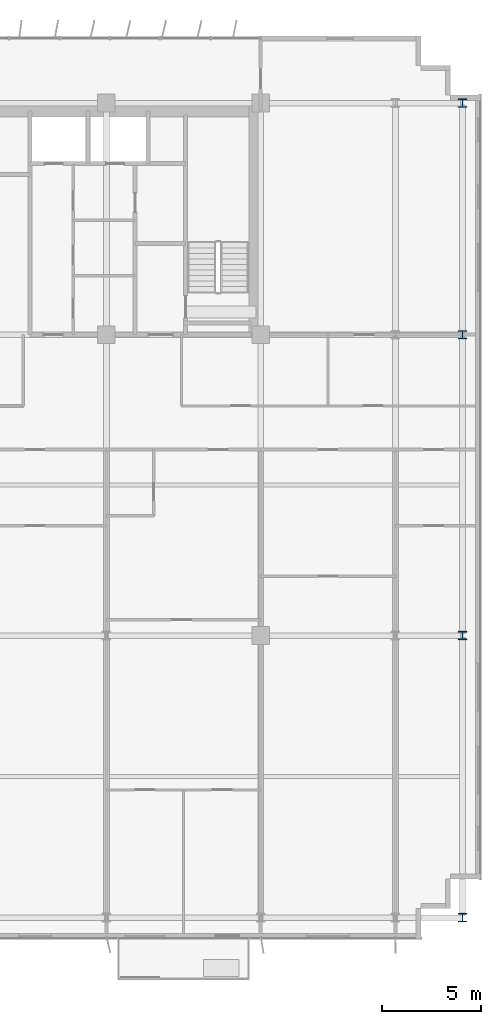
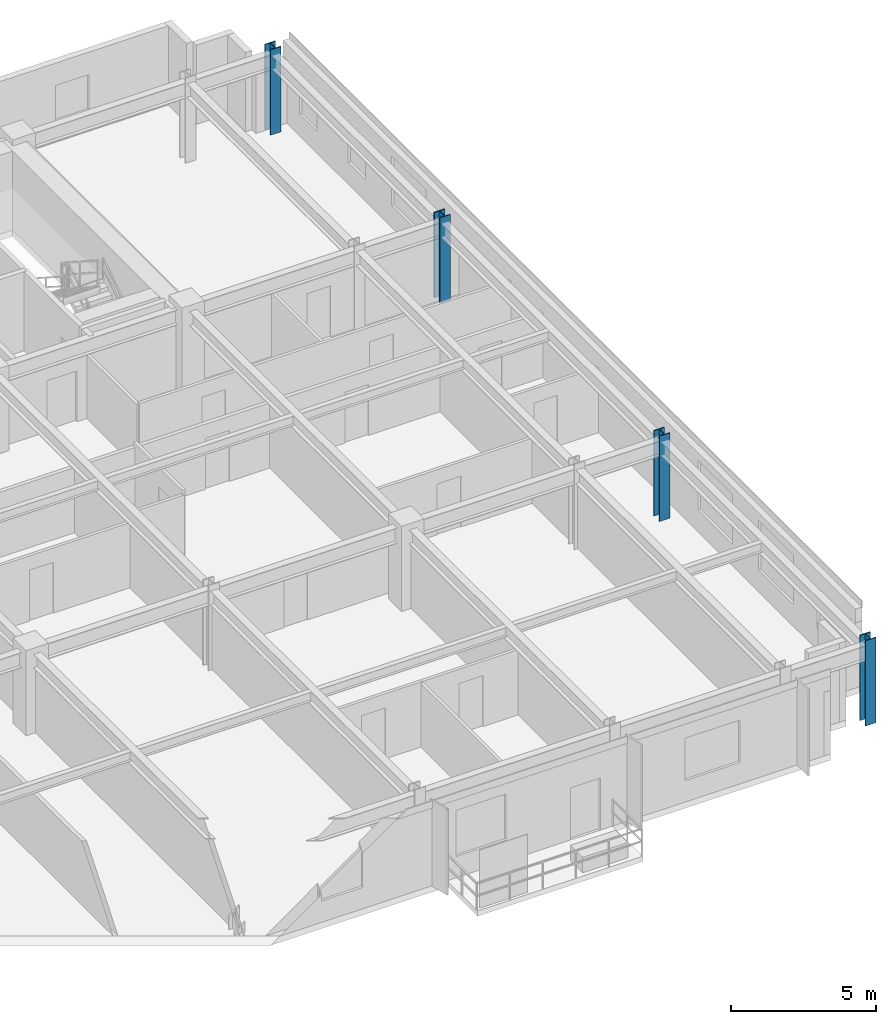
# One storey, part 3 of 22: 4 columns.
"""IFC4 building model written with IfcOpenShell, lengths in metres."""

from ifc_helpers import new_model, si_unit, direction, frame, origin, origin_2d, place, context, subcontext, project, spatial, i_section, extrude, source, transform, mapped, material, material_profile, profile_set, type_object, element, save


model = new_model("IFC4")

# Units and contexts
model_context = context("Model", 3, precision=1e-05, world=origin(), true_north=direction((0.0, 1.0)))
body_context = subcontext(model_context, "Body", "Model", "MODEL_VIEW")
ifc_project = project(units=[si_unit("LENGTHUNIT", "METRE"), si_unit("AREAUNIT", "SQUARE_METRE"), si_unit("VOLUMEUNIT", "CUBIC_METRE"), si_unit("PLANEANGLEUNIT", "RADIAN"), si_unit("MASSUNIT", "GRAM", prefix="KILO")], contexts=[model_context])

# Site, building, storey
site_placement = place(None, origin())
site = spatial("IfcSite", under=ifc_project, at=site_placement, CompositionType="ELEMENT")
building_placement = place(site_placement, origin())
building = spatial("IfcBuilding", under=site, at=building_placement, Name="Trelvane Seafront Commons", CompositionType="ELEMENT")
storey_placement = place(building_placement, frame((0.0, 0.0, 59.5)))
storey = spatial("IfcBuildingStorey", under=building, at=storey_placement, Name="L15", CompositionType="ELEMENT", Elevation=59.5)

# Columns
ifc_material = material(Name="Steel SM355 (S355)", Category="steel")
ifc_material_profile = material_profile(ifc_material, i_section(OverallWidth=0.419921875, OverallDepth=0.419921875, WebThickness=0.02587890625, FlangeThickness=0.0400390625, at=origin_2d()), Name="HD-420x420x26x40")
ifc_profile_set = profile_set([ifc_material_profile], Name="Steel SM355 (S355)")
column_type = type_object("IfcColumnType", Name="STR-COL-HD420", PredefinedType="COLUMN", material=ifc_profile_set)
shared_shape = source(origin(), body_context, "Body", "SweptSolid", [
    extrude(i_section(OverallWidth=0.419921875, OverallDepth=0.419921875, WebThickness=0.02587890625, FlangeThickness=0.0400390625, at=origin_2d()), origin(), (0.0, 0.0, 1.0), 3.60009765625),
])
for number, where, z_axis, x_axis, name in (
    (1, (69.0, 3.949951171875, 0.0), (0.0, 0.0, 1.0), (1.0, 0.0, 0.0), "L15 Column TC-S69.0"),
    (2, (69.0, 18.199951171875, 0.0), (0.0, 0.0, 1.0), (1.0, 0.0, 0.0), "L15 Column TC-M69.0"),
    (3, (69.0, 33.39990234375, 0.0), (0.0, 0.0, 1.0), (1.0, 0.0, 0.0), "L15 Column TC-CS69.0"),
    (4, (69.0, 45.10009765625, 0.0), (0.0, 0.0, 1.0), (1.0, 0.0, 0.0), "L15 Column TC-CN69.0"),
):
    element("IfcColumn", number, at=place(storey_placement, frame(where, z_axis=z_axis, x_axis=x_axis)), inside=storey, type_object=column_type, Name=name, PredefinedType="COLUMN", context=body_context, shape_type="MappedRepresentation", body=[
        mapped(shared_shape, transform((0.0, 0.0, 0.0), x_axis=(1.0, 0.0, 0.0), y_axis=(0.0, 1.0, 0.0), z_axis=(0.0, 0.0, 1.0), scale=1.0)),
    ])

save(model, "model.ifc")
